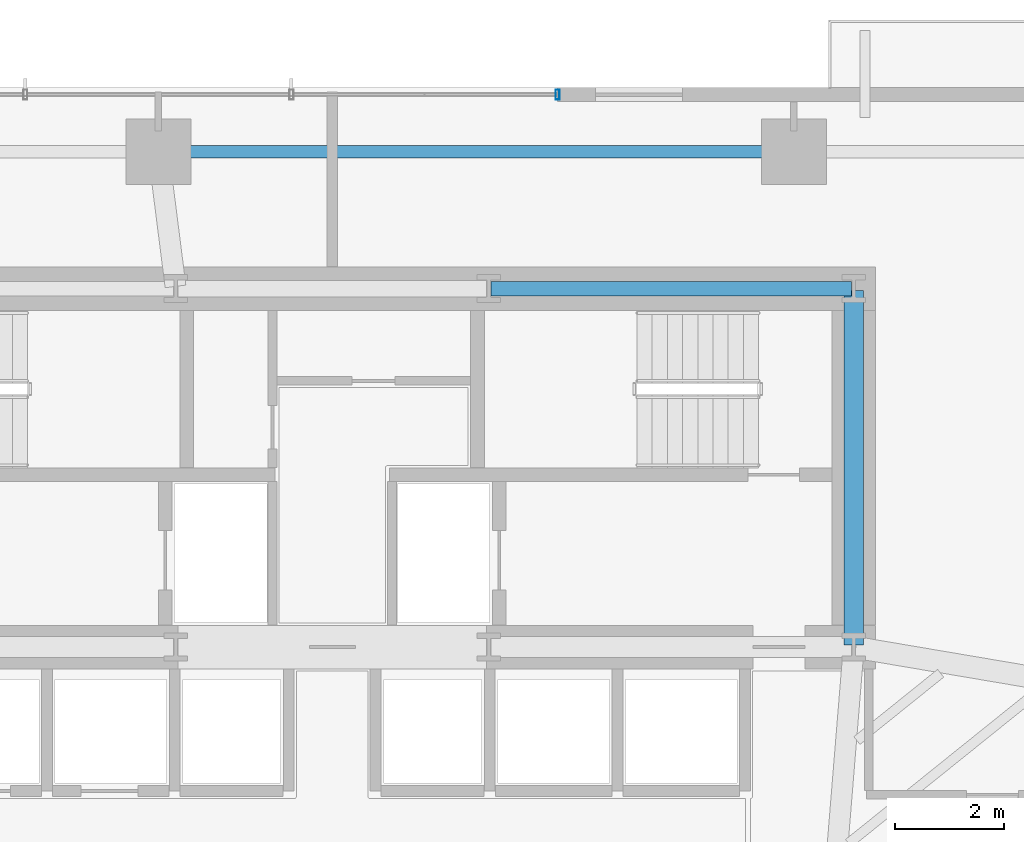
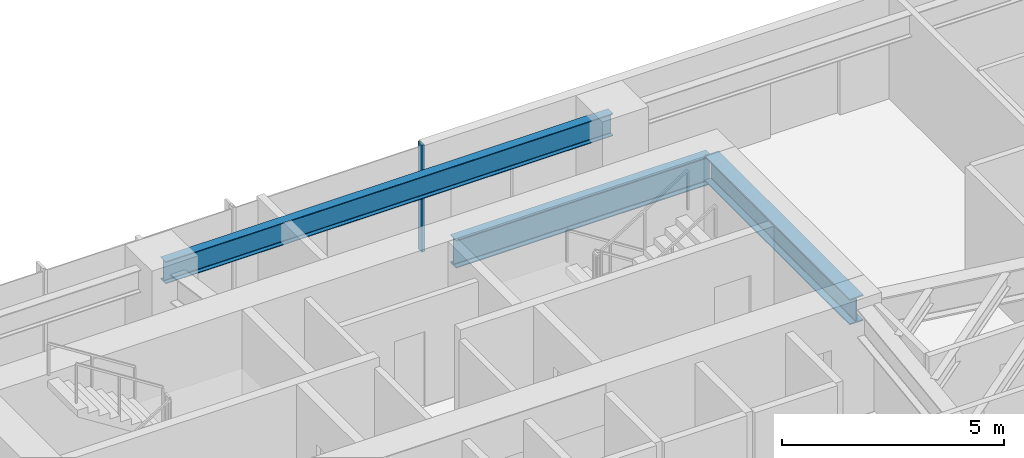
# One storey, part 15 of 25: 3 beams, 1 member, 1 element without a shape of its own.
"""IFC4 building model written with IfcOpenShell, lengths in metres."""

from ifc_helpers import new_model, si_unit, direction, frame, origin, origin_2d, place, context, subcontext, project, spatial, hollow_rectangle, i_section, extrude, source, transform, mapped, material, material_profile, profile_set, type_object, type_shapes, element, aggregate, save


model = new_model("IFC4")

# Units and contexts
model_context = context("Model", 3, precision=1e-05, world=origin(), true_north=direction((0.0, 1.0)))
body_context = subcontext(model_context, "Body", "Model", "MODEL_VIEW")
ifc_project = project(units=[si_unit("LENGTHUNIT", "METRE"), si_unit("AREAUNIT", "SQUARE_METRE"), si_unit("VOLUMEUNIT", "CUBIC_METRE"), si_unit("PLANEANGLEUNIT", "RADIAN"), si_unit("MASSUNIT", "GRAM", prefix="KILO")], contexts=[model_context])

# Site, building, storey
site_placement = place(None, origin())
site = spatial("IfcSite", under=ifc_project, at=site_placement, CompositionType="ELEMENT")
building_placement = place(site_placement, origin())
building = spatial("IfcBuilding", under=site, at=building_placement, Name="Astriad Promenade Condominiums", CompositionType="ELEMENT")
storey_placement = place(building_placement, frame((0.0, 0.0, 61.39990234375)))
storey = spatial("IfcBuildingStorey", under=building, at=storey_placement, Name="L17", CompositionType="ELEMENT", Elevation=61.39990234375)

# Beams
ifc_material_1 = material(Name="Steel ASTM A992 Grade 50", Category="steel")
ifc_material_profile_1 = material_profile(ifc_material_1, i_section(OverallWidth=0.267822265625, OverallDepth=0.76953125, WebThickness=0.015625, FlangeThickness=0.025390625, FilletRadius=0.021484375, at=origin_2d()), Name="W30X132")
ifc_profile_set_1 = profile_set([ifc_material_profile_1], Name="Steel ASTM A992 Grade 50")
beam_type_1 = type_object("IfcBeamType", Name="STEEL FLOOR GIRDER W30X132", PredefinedType="BEAM", material=ifc_profile_set_1)
shared_shape_1 = source(origin(), body_context, "Body", "SweptSolid", [
    extrude(i_section(OverallWidth=0.267822265625, OverallDepth=0.76953125, WebThickness=0.015625, FlangeThickness=0.025390625, FilletRadius=0.021484375, at=origin_2d()), origin(), (0.0, 0.0, 1.0), 6.64013671875),
])
type_shapes(beam_type_1, [shared_shape_1])
beam_1_placement = place(storey_placement, frame((38.919921875, 24.0, 2.55517578125), z_axis=(1.0, 0.0, 0.0), x_axis=(0.0, 1.0, 0.0)))
element("IfcBeam", 1, at=beam_1_placement, inside=storey, type_object=beam_type_1, Name="Core Ring Beam CG-N3-L17", PredefinedType="BEAM", context=body_context, shape_type="MappedRepresentation", body=[
    mapped(shared_shape_1, transform((0.0, 0.0, 0.0), scale=1.0)),
])
ifc_material_profile_2 = material_profile(ifc_material_1, i_section(OverallWidth=0.35791015625, OverallDepth=0.706298828125, WebThickness=0.018310546875, FlangeThickness=0.0302734375, FilletRadius=0.020263671875, at=origin_2d()), Name="W27X178")
ifc_profile_set_2 = profile_set([ifc_material_profile_2], Name="Steel ASTM A992 Grade 50")
beam_type_2 = type_object("IfcBeamType", Name="STEEL FLOOR GIRDER W27X178", PredefinedType="BEAM", material=ifc_profile_set_2)
shared_shape_2 = source(origin(), body_context, "Body", "SweptSolid", [
    extrude(i_section(OverallWidth=0.35791015625, OverallDepth=0.706298828125, WebThickness=0.018310546875, FlangeThickness=0.0302734375, FilletRadius=0.020263671875, at=origin_2d()), origin(), (0.0, 0.0, 1.0), 6.52001953125),
])
type_shapes(beam_type_2, [shared_shape_2])
beam_2_placement = place(storey_placement, frame((45.60009765625, 17.43994140625, 2.5869140625), z_axis=(0.0, 1.0, 0.0), x_axis=(-1.0, 0.0, 0.0)))
element("IfcBeam", 2, at=beam_2_placement, inside=storey, type_object=beam_type_2, Name="Core Ring Beam CG-E1-L17", PredefinedType="BEAM", context=body_context, shape_type="MappedRepresentation", body=[
    mapped(shared_shape_2, transform((0.0, 0.0, 0.0), scale=1.0)),
])
ifc_material_profile_3 = material_profile(ifc_material_1, i_section(OverallWidth=0.22900390625, OverallDepth=0.612060546875, WebThickness=0.011962890625, FlangeThickness=0.01953125, FilletRadius=0.017822265625, at=origin_2d()), Name="W24X84")
ifc_profile_set_3 = profile_set([ifc_material_profile_3], Name="Steel ASTM A992 Grade 50")
beam_type_3 = type_object("IfcBeamType", Name="STEEL SPANDREL BEAM W24X84", PredefinedType="SPANDREL", material=ifc_profile_set_3)
shared_shape_3 = source(origin(), body_context, "Body", "SweptSolid", [
    extrude(i_section(OverallWidth=0.22900390625, OverallDepth=0.612060546875, WebThickness=0.011962890625, FlangeThickness=0.01953125, FilletRadius=0.017822265625, at=origin_2d()), origin(), (0.0, 0.0, 1.0), 11.619873046875),
])
type_shapes(beam_type_3, [shared_shape_3])
beam_3_placement = place(storey_placement, frame((44.4599609375, 26.52001953125, 2.634033203125), z_axis=(-1.0, 0.0, 0.0), x_axis=(0.0, -1.0, 0.0)))
element("IfcBeam", 3, at=beam_3_placement, inside=storey, type_object=beam_type_3, Name="Perimeter Spandrel Beam SP-N3-L17", PredefinedType="SPANDREL", context=body_context, shape_type="MappedRepresentation", body=[
    mapped(shared_shape_3, transform((0.0, 0.0, 0.0), scale=1.0)),
])

# Curtain wall, member
ifc_material_2 = material(Name="Anodised aluminium Black Dark Glass Unitised", Category="aluminium")
curtain_wall_type = type_object("IfcCurtainWallType", Name="CW-B1-DARK", PredefinedType="USERDEFINED", material=ifc_material_2)
curtain_wall_placement = place(storey_placement, origin())
curtain_wall = element("IfcCurtainWall", 4, at=curtain_wall_placement, inside=storey, type_object=curtain_wall_type, Name="CW-L17-N", ObjectType="UNITISED_CURTAIN_WALL", PredefinedType="USERDEFINED")
ifc_material_3 = material(Name="Anodised aluminium 6063-T6 Black", Category="aluminium")
ifc_material_profile_4 = material_profile(ifc_material_3, hollow_rectangle(XDim=0.074951171875, YDim=0.18505859375, WallThickness=0.00439453125, at=origin_2d()), Name="ALU-MUL-75X185")
ifc_profile_set_4 = profile_set([ifc_material_profile_4], Name="Anodised aluminium 6063-T6 Black")
member_type = type_object("IfcMemberType", Name="MUL-ALU-MUL-75X185", PredefinedType="MULLION", material=ifc_profile_set_4)
shared_shape_4 = source(origin(), body_context, "Body", "SweptSolid", [
    extrude(hollow_rectangle(XDim=0.074951171875, YDim=0.18505859375, WallThickness=0.00439453125, at=origin_2d()), origin(), (0.0, 0.0, 1.0), 2.940185546875),
])
type_shapes(member_type, [shared_shape_4])
member_placement = place(storey_placement, frame((40.14990234375, 27.570068359375, 0.0), z_axis=(0.0, 0.0, 1.0), x_axis=(1.0, 0.0, 0.0)))
member = element("IfcMember", 5, at=member_placement, type_object=member_type, Name="CW-L17-N-MUL-03", PredefinedType="MULLION", context=body_context, shape_type="MappedRepresentation", body=[
    mapped(shared_shape_4, transform((0.0, 0.0, 0.0), scale=1.0)),
])
aggregate(curtain_wall, [member])

save(model, "model.ifc")
